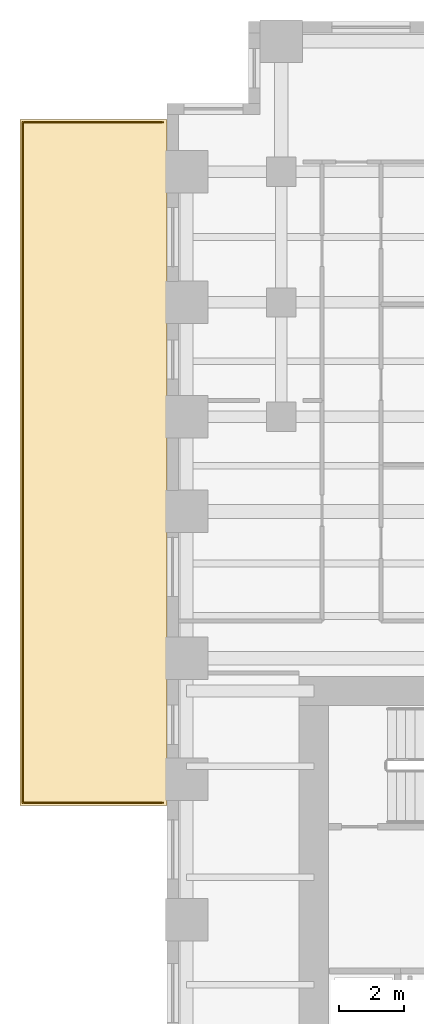
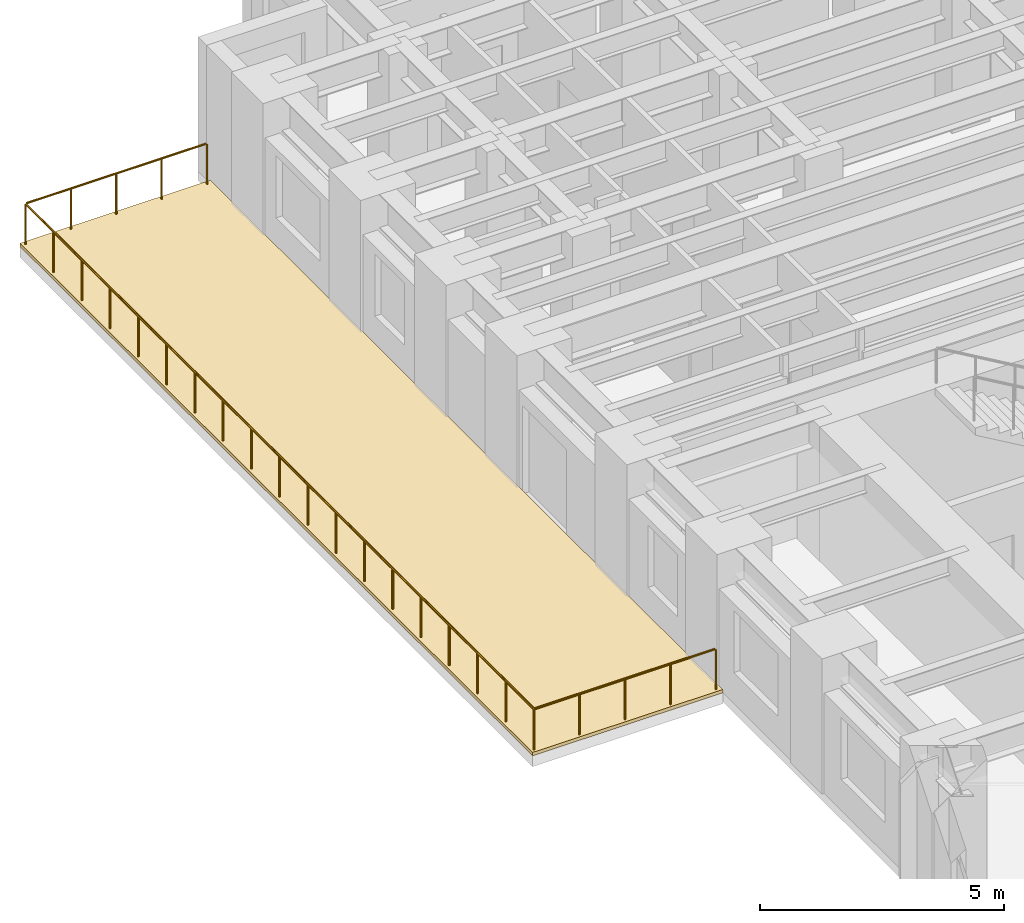
# One storey, part 15 of 15: 1 covering, 1 railing.
"""IFC4 building model written with IfcOpenShell, lengths in metres."""

from ifc_helpers import new_model, si_unit, direction, frame, origin, origin_2d, place, context, subcontext, project, spatial, polyline, circle, outline, extrude, source, transform, mapped, material, layer, layer_set, type_object, element, save


model = new_model("IFC4")

# Units and contexts
model_context = context("Model", 3, precision=1e-05, world=origin(), true_north=direction((0.0, 1.0)))
body_context = subcontext(model_context, "Body", "Model", "MODEL_VIEW")
ifc_project = project(units=[si_unit("LENGTHUNIT", "METRE"), si_unit("AREAUNIT", "SQUARE_METRE"), si_unit("VOLUMEUNIT", "CUBIC_METRE"), si_unit("PLANEANGLEUNIT", "RADIAN"), si_unit("MASSUNIT", "GRAM", prefix="KILO")], contexts=[model_context])

# Site, building, storey
site_placement = place(None, origin())
site = spatial("IfcSite", under=ifc_project, at=site_placement, CompositionType="ELEMENT")
building_placement = place(site_placement, origin())
building = spatial("IfcBuilding", under=site, at=building_placement, Name="Kharzan Plaza Tower", CompositionType="ELEMENT")
storey_placement = place(building_placement, frame((0.0, 0.0, 22.5)))
storey = spatial("IfcBuildingStorey", under=building, at=storey_placement, Name="L05", CompositionType="ELEMENT", Elevation=22.5)

# Covering
ifc_material_1 = material(Name="Inverted EPDM Waterproofing and Gravel Ballast", Category="membrane")
ifc_layer_1 = layer(ifc_material_1, 0.0849609375)
ifc_layer_set_1 = layer_set([ifc_layer_1], Name="Inverted EPDM Waterproofing and Gravel Ballast")
covering_type = type_object("IfcCoveringType", Name="COV-ROOF-MEMB", PredefinedType="ROOFING", material=ifc_layer_set_1)
covering_placement = place(storey_placement, origin())
element("IfcCovering", 1, at=covering_placement, inside=storey, type_object=covering_type, Name="L05 Terrace Waterproofing Covering", PredefinedType="ROOFING", context=body_context, shape_type="SweptSolid", body=[
    extrude(outline(polyline([(-4.5, 26.0), (0.0, 26.0), (0.0, 47.0), (-4.5, 47.0), (-4.5, 26.0)])), origin(), (0.0, 0.0, 1.0), 0.0849609375),
])

# Railing
ifc_material_2 = material(Name="Painted Galvanized Architectural Steel", Category="steel")
ifc_layer_2 = layer(ifc_material_2, 0.074951171875)
ifc_layer_set_2 = layer_set([ifc_layer_2], Name="Painted Galvanized Architectural Steel")
railing_type = type_object("IfcRailingType", Name="RL-GUARD-1120", PredefinedType="BALUSTRADE", material=ifc_layer_set_2)
shared_shape = source(origin(), body_context, "Body", "SweptSolid", [
    extrude(circle(Radius=0.02392578125, at=origin_2d()), frame((-0.0263671875, 0.0, 1.09619140625), z_axis=(-1.0, 0.0, 0.0), x_axis=(0.0, -1.0, 0.0)), (0.0, 0.0, 1.0), 4.246826171875),
    extrude(circle(Radius=0.02392578125, at=origin_2d()), frame((-4.2998046875, 0.0263671875, 1.09619140625), z_axis=(0.0, 1.0, 0.0), x_axis=(-1.0, 0.0, 0.0)), (0.0, 0.0, 1.0), 20.786865234375),
    extrude(circle(Radius=0.02392578125, at=origin_2d()), frame((-4.2734375, 20.83984375, 1.09619140625), z_axis=(1.0, 0.0, 0.0), x_axis=(0.0, 1.0, 0.0)), (0.0, 0.0, 1.0), 4.246826171875),
    extrude(circle(Radius=0.02099609375, at=origin_2d()), origin(), (0.0, 0.0, 1.0), 1.072021484375),
    extrude(circle(Radius=0.02099609375, at=origin_2d()), frame((-1.074951171875, 0.0, 0.0)), (0.0, 0.0, 1.0), 1.072021484375),
    extrude(circle(Radius=0.02099609375, at=origin_2d()), frame((-2.14990234375, 0.0, 0.0)), (0.0, 0.0, 1.0), 1.072021484375),
    extrude(circle(Radius=0.02099609375, at=origin_2d()), frame((-3.224853515625, 0.0, 0.0)), (0.0, 0.0, 1.0), 1.072021484375),
    extrude(circle(Radius=0.02099609375, at=origin_2d()), frame((-4.2998046875, 0.0, 0.0)), (0.0, 0.0, 1.0), 1.072021484375),
    extrude(circle(Radius=0.02099609375, at=origin_2d()), frame((-4.2998046875, 1.15771484375, 0.0)), (0.0, 0.0, 1.0), 1.072021484375),
    extrude(circle(Radius=0.02099609375, at=origin_2d()), frame((-4.2998046875, 2.3154296875, 0.0)), (0.0, 0.0, 1.0), 1.072021484375),
    extrude(circle(Radius=0.02099609375, at=origin_2d()), frame((-4.2998046875, 3.473388671875, 0.0)), (0.0, 0.0, 1.0), 1.072021484375),
    extrude(circle(Radius=0.02099609375, at=origin_2d()), frame((-4.2998046875, 4.631103515625, 0.0)), (0.0, 0.0, 1.0), 1.072021484375),
    extrude(circle(Radius=0.02099609375, at=origin_2d()), frame((-4.2998046875, 5.788818359375, 0.0)), (0.0, 0.0, 1.0), 1.072021484375),
    extrude(circle(Radius=0.02099609375, at=origin_2d()), frame((-4.2998046875, 6.946533203125, 0.0)), (0.0, 0.0, 1.0), 1.072021484375),
    extrude(circle(Radius=0.02099609375, at=origin_2d()), frame((-4.2998046875, 8.1044921875, 0.0)), (0.0, 0.0, 1.0), 1.072021484375),
    extrude(circle(Radius=0.02099609375, at=origin_2d()), frame((-4.2998046875, 9.26220703125, 0.0)), (0.0, 0.0, 1.0), 1.072021484375),
    extrude(circle(Radius=0.02099609375, at=origin_2d()), frame((-4.2998046875, 10.419921875, 0.0)), (0.0, 0.0, 1.0), 1.072021484375),
    extrude(circle(Radius=0.02099609375, at=origin_2d()), frame((-4.2998046875, 11.57763671875, 0.0)), (0.0, 0.0, 1.0), 1.072021484375),
    extrude(circle(Radius=0.02099609375, at=origin_2d()), frame((-4.2998046875, 12.7353515625, 0.0)), (0.0, 0.0, 1.0), 1.072021484375),
    extrude(circle(Radius=0.02099609375, at=origin_2d()), frame((-4.2998046875, 13.893310546875, 0.0)), (0.0, 0.0, 1.0), 1.072021484375),
    extrude(circle(Radius=0.02099609375, at=origin_2d()), frame((-4.2998046875, 15.051025390625, 0.0)), (0.0, 0.0, 1.0), 1.072021484375),
    extrude(circle(Radius=0.02099609375, at=origin_2d()), frame((-4.2998046875, 16.208740234375, 0.0)), (0.0, 0.0, 1.0), 1.072021484375),
    extrude(circle(Radius=0.02099609375, at=origin_2d()), frame((-4.2998046875, 17.366455078125, 0.0)), (0.0, 0.0, 1.0), 1.072021484375),
    extrude(circle(Radius=0.02099609375, at=origin_2d()), frame((-4.2998046875, 18.5244140625, 0.0)), (0.0, 0.0, 1.0), 1.072021484375),
    extrude(circle(Radius=0.02099609375, at=origin_2d()), frame((-4.2998046875, 19.68212890625, 0.0)), (0.0, 0.0, 1.0), 1.072021484375),
    extrude(circle(Radius=0.02099609375, at=origin_2d()), frame((-4.2998046875, 20.83984375, 0.0)), (0.0, 0.0, 1.0), 1.072021484375),
    extrude(circle(Radius=0.02099609375, at=origin_2d()), frame((-3.224853515625, 20.83984375, 0.0)), (0.0, 0.0, 1.0), 1.072021484375),
    extrude(circle(Radius=0.02099609375, at=origin_2d()), frame((-2.14990234375, 20.83984375, 0.0)), (0.0, 0.0, 1.0), 1.072021484375),
    extrude(circle(Radius=0.02099609375, at=origin_2d()), frame((-1.074951171875, 20.83984375, 0.0)), (0.0, 0.0, 1.0), 1.072021484375),
    extrude(circle(Radius=0.02099609375, at=origin_2d()), frame((0.0, 20.83984375, 0.0)), (0.0, 0.0, 1.0), 1.072021484375),
])
railing_placement = place(storey_placement, frame((-0.1201171875, 26.080078125, 0.0)))
element("IfcRailing", 2, at=railing_placement, inside=storey, type_object=railing_type, Name="L05 Setback Roof Terrace Perimeter Guard", PredefinedType="BALUSTRADE", context=body_context, shape_type="MappedRepresentation", body=[
    mapped(shared_shape, transform((0.0, 0.0, 0.0), x_axis=(1.0, 0.0, 0.0), y_axis=(0.0, 1.0, 0.0), z_axis=(0.0, 0.0, 1.0))),
])

save(model, "model.ifc")
